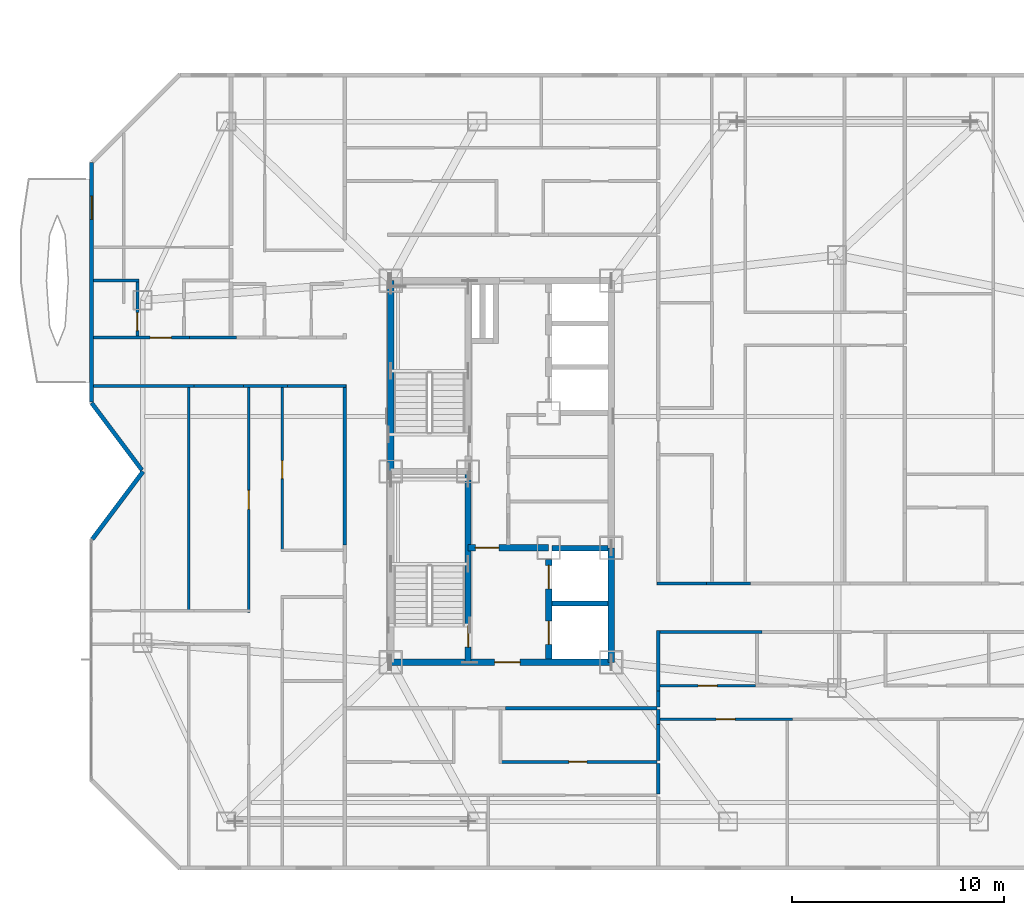
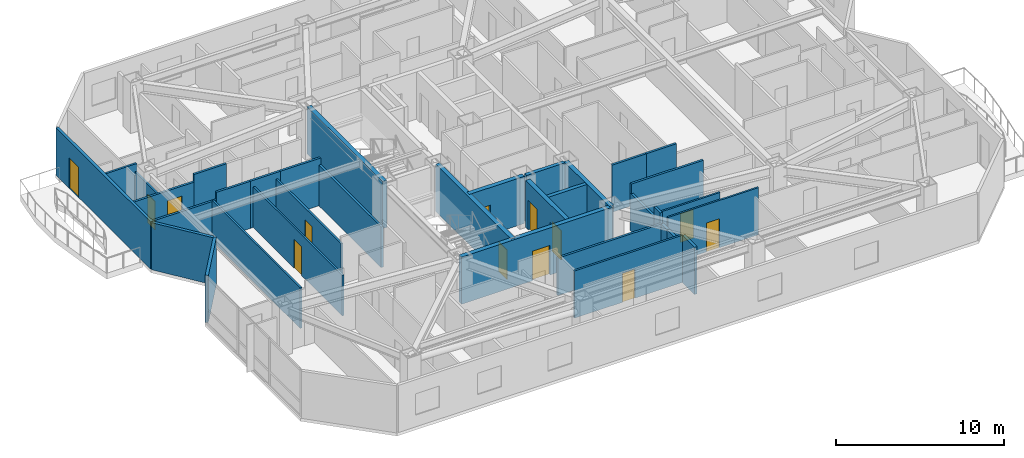
# One storey, part 10 of 16: 35 walls, 13 doors, 13 openings.
"""IFC4 building model written with IfcOpenShell, lengths in metres."""

from ifc_helpers import new_model, si_unit, direction, frame, frame_2d, origin, place, context, subcontext, project, spatial, rectangle, extrude, material, layer, layer_set, type_object, element, fill, save


model = new_model("IFC4")

# Units and contexts
model_context = context("Model", 3, precision=1e-05, world=origin(), true_north=direction((0.0, 1.0)))
body_context = subcontext(model_context, "Body", "Model", "MODEL_VIEW")
ifc_project = project(units=[si_unit("LENGTHUNIT", "METRE"), si_unit("AREAUNIT", "SQUARE_METRE"), si_unit("VOLUMEUNIT", "CUBIC_METRE"), si_unit("PLANEANGLEUNIT", "RADIAN"), si_unit("MASSUNIT", "GRAM", prefix="KILO")], contexts=[model_context])

# Site, building, storey
site_placement = place(None, origin())
site = spatial("IfcSite", under=ifc_project, at=site_placement, CompositionType="ELEMENT")
building_placement = place(site_placement, origin())
building = spatial("IfcBuilding", under=site, at=building_placement, Name="Khamvora Tower", CompositionType="ELEMENT")
storey_placement = place(building_placement, frame((0.0, 0.0, 170.5)))
storey = spatial("IfcBuildingStorey", under=building, at=storey_placement, Name="L43", CompositionType="ELEMENT", Elevation=170.5)

# Wall
ifc_material_1 = material(Name="Concrete C50/60", Category="concrete")
ifc_layer_1 = layer(ifc_material_1, 0.300048828125)
ifc_layer_set_1 = layer_set([ifc_layer_1], Name="Concrete C50/60")
wall_type_1 = type_object("IfcWallType", Name="WAL-CORE-300", PredefinedType="SHEAR", material=ifc_layer_set_1)
wall_1_placement = place(storey_placement, frame((29.0, 28.0, 0.0), z_axis=(0.0, 0.0, 1.0), x_axis=(0.0, 1.0, 0.0)))
element("IfcWall", 1, at=wall_1_placement, inside=storey, type_object=wall_type_1, Name="L43 central core west north wall", PredefinedType="SHEAR", context=body_context, shape_type="SweptSolid", body=[
    extrude(rectangle(XDim=9.0, YDim=0.300048828125, at=frame_2d((4.5, 0.0))), origin(), (0.0, 0.0, 1.0), 3.429931640625),
])

# Wall, opening, door
wall_2_placement = place(storey_placement, frame((29.0, 19.0, 0.0), z_axis=(0.0, 0.0, 1.0), x_axis=(1.0, 0.0, 0.0)))
wall_2 = element("IfcWall", 2, at=wall_2_placement, inside=storey, type_object=wall_type_1, Name="L43 central core south wall", PredefinedType="SHEAR", context=body_context, shape_type="SweptSolid", body=[
    extrude(rectangle(XDim=10.39990234375, YDim=0.300048828125, at=frame_2d((5.199951171875, 0.0))), origin(), (0.0, 0.0, 1.0), 3.429931640625),
])
opening_1_placement = place(wall_2_placement, frame((4.89990234375, 0.0, 0.0)))
opening_1 = element("IfcOpeningElement", 3, at=opening_1_placement, cuts=wall_2, Name="Opening D-CR1", PredefinedType="OPENING", context=body_context, shape_type="SweptSolid", body=[
    extrude(rectangle(XDim=1.199951171875, YDim=2.14990234375, at=frame_2d((0.60009765625, 1.074951171875))), frame((0.0, 0.159912109375, 0.0), z_axis=(0.0, -1.0, 0.0), x_axis=(1.0, 0.0, 0.0)), (0.0, 0.0, 1.0), 0.320068359375),
])
ifc_material_2 = material(Name="Powder-Coated Steel and Hardwood Leaf", Category="steel")
door_type_1 = type_object("IfcDoorType", Name="DOR-CORR-1200", OperationType="NOTDEFINED", PredefinedType="DOOR", material=ifc_material_2)
door_1_placement = place(opening_1_placement, origin())
door_1 = element("IfcDoor", 4, at=door_1_placement, inside=storey, type_object=door_type_1, Name="L43 south core lobby to corridor fire door", OperationType="SINGLE_SWING_LEFT", OverallHeight=2.14990234375, OverallWidth=1.199951171875, PredefinedType="DOOR", context=body_context, shape_type="SweptSolid", body=[
    extrude(rectangle(XDim=1.199951171875, YDim=2.14990234375, at=frame_2d((0.60009765625, 1.074951171875))), frame((0.0, 0.02490234375, 0.0), z_axis=(0.0, -1.0, 0.0), x_axis=(1.0, 0.0, 0.0)), (0.0, 0.0, 1.0), 0.050048828125),
])
fill(opening_1, door_1)

# Wall
wall_3_placement = place(storey_placement, frame((39.39990234375, 19.0, 0.0), z_axis=(0.0, 0.0, 1.0), x_axis=(0.0, 1.0, 0.0)))
element("IfcWall", 5, at=wall_3_placement, inside=storey, type_object=wall_type_1, Name="L43 central core east south wall", PredefinedType="SHEAR", context=body_context, shape_type="SweptSolid", body=[
    extrude(rectangle(XDim=5.39990234375, YDim=0.300048828125, at=frame_2d((2.699951171875, 0.0))), origin(), (0.0, 0.0, 1.0), 3.429931640625),
])

# Wall, opening, door
wall_4_placement = place(storey_placement, frame((32.64990234375, 19.0, 0.0), z_axis=(0.0, 0.0, 1.0), x_axis=(0.0, 1.0, 0.0)))
wall_4 = element("IfcWall", 6, at=wall_4_placement, inside=storey, type_object=wall_type_1, Name="L43 central core stair south spine wall", PredefinedType="SHEAR", context=body_context, shape_type="SweptSolid", body=[
    extrude(rectangle(XDim=9.0, YDim=0.300048828125, at=frame_2d((4.5, 0.0))), origin(), (0.0, 0.0, 1.0), 3.429931640625),
])
opening_2_placement = place(wall_4_placement, frame((0.719970703125, 0.0, 0.0)))
opening_2 = element("IfcOpeningElement", 7, at=opening_2_placement, cuts=wall_4, Name="Opening D-ST1", PredefinedType="OPENING", context=body_context, shape_type="SweptSolid", body=[
    extrude(rectangle(XDim=1.0, YDim=2.14990234375, at=frame_2d((0.5, 1.074951171875))), frame((0.0, 0.159912109375, 0.0), z_axis=(0.0, -1.0, 0.0), x_axis=(1.0, 0.0, 0.0)), (0.0, 0.0, 1.0), 0.320068359375),
])
door_type_2 = type_object("IfcDoorType", Name="DOR-STAIR-1000", OperationType="NOTDEFINED", PredefinedType="DOOR", material=ifc_material_2)
door_2_placement = place(opening_2_placement, origin())
door_2 = element("IfcDoor", 8, at=door_2_placement, inside=storey, type_object=door_type_2, Name="L43 exit stair ST-01 fire door", OperationType="SINGLE_SWING_RIGHT", OverallHeight=2.14990234375, OverallWidth=1.0, PredefinedType="DOOR", context=body_context, shape_type="SweptSolid", body=[
    extrude(rectangle(XDim=1.0, YDim=2.14990234375, at=frame_2d((0.5, 1.074951171875))), frame((0.0, 0.02490234375, 0.0), z_axis=(0.0, -1.0, 0.0), x_axis=(1.0, 0.0, 0.0)), (0.0, 0.0, 1.0), 0.050048828125),
])
fill(opening_2, door_2)

wall_5_placement = place(storey_placement, frame((32.64990234375, 24.39990234375, 0.0), z_axis=(0.0, 0.0, 1.0), x_axis=(1.0, 0.0, 0.0)))
wall_5 = element("IfcWall", 9, at=wall_5_placement, inside=storey, type_object=wall_type_1, Name="L43 central core firefighting lobby north wall", PredefinedType="SHEAR", context=body_context, shape_type="SweptSolid", body=[
    extrude(rectangle(XDim=3.800048828125, YDim=0.300048828125, at=frame_2d((1.89990234375, 0.0))), origin(), (0.0, 0.0, 1.0), 3.429931640625),
])
opening_3_placement = place(wall_5_placement, frame((0.35009765625, 0.0, 0.0)))
opening_3 = element("IfcOpeningElement", 10, at=opening_3_placement, cuts=wall_5, Name="Opening D-FF1", PredefinedType="OPENING", context=body_context, shape_type="SweptSolid", body=[
    extrude(rectangle(XDim=1.10009765625, YDim=2.14990234375, at=frame_2d((0.550048828125, 1.074951171875))), frame((0.0, 0.159912109375, 0.0), z_axis=(0.0, -1.0, 0.0), x_axis=(1.0, 0.0, 0.0)), (0.0, 0.0, 1.0), 0.320068359375),
])
door_type_3 = type_object("IfcDoorType", Name="DOR-FFLOB-1100", OperationType="NOTDEFINED", PredefinedType="DOOR", material=ifc_material_2)
door_3_placement = place(opening_3_placement, origin())
door_3 = element("IfcDoor", 11, at=door_3_placement, inside=storey, type_object=door_type_3, Name="L43 firefighting lobby smoke-seal fire door", OperationType="SINGLE_SWING_RIGHT", OverallHeight=2.14990234375, OverallWidth=1.10009765625, PredefinedType="DOOR", context=body_context, shape_type="SweptSolid", body=[
    extrude(rectangle(XDim=1.10009765625, YDim=2.14990234375, at=frame_2d((0.550048828125, 1.074951171875))), frame((0.0, 0.02490234375, 0.0), z_axis=(0.0, -1.0, 0.0), x_axis=(1.0, 0.0, 0.0)), (0.0, 0.0, 1.0), 0.050048828125),
])
fill(opening_3, door_3)

# Wall, openings, doors
wall_6_placement = place(storey_placement, frame((36.449951171875, 19.154052734375, 0.0), z_axis=(0.0, 0.0, 1.0), x_axis=(0.0, 1.0, 0.0)))
wall_6 = element("IfcWall", 12, at=wall_6_placement, inside=storey, type_object=wall_type_1, Name="L43 central core lift bank south wall", PredefinedType="SHEAR", context=body_context, shape_type="SweptSolid", body=[
    extrude(rectangle(XDim=4.696044921875, YDim=0.300048828125, at=frame_2d((2.34814453125, 0.0))), origin(), (0.0, 0.0, 1.0), 3.429931640625),
])
opening_4_placement = place(wall_6_placement, frame((0.696044921875, 0.0, 0.0)))
opening_4 = element("IfcOpeningElement", 13, at=opening_4_placement, cuts=wall_6, Name="Opening LD-FFL", PredefinedType="OPENING", context=body_context, shape_type="SweptSolid", body=[
    extrude(rectangle(XDim=1.10009765625, YDim=2.14990234375, at=frame_2d((0.550048828125, 1.074951171875))), frame((0.0, 0.159912109375, 0.0), z_axis=(0.0, -1.0, 0.0), x_axis=(1.0, 0.0, 0.0)), (0.0, 0.0, 1.0), 0.320068359375),
])
opening_5_placement = place(wall_6_placement, frame((3.31591796875, 0.0, 0.0)))
opening_5 = element("IfcOpeningElement", 14, at=opening_5_placement, cuts=wall_6, Name="Opening LD-FFL", PredefinedType="OPENING", context=body_context, shape_type="SweptSolid", body=[
    extrude(rectangle(XDim=1.10009765625, YDim=2.14990234375, at=frame_2d((0.550048828125, 1.074951171875))), frame((0.0, 0.159912109375, 0.0), z_axis=(0.0, -1.0, 0.0), x_axis=(1.0, 0.0, 0.0)), (0.0, 0.0, 1.0), 0.320068359375),
])
door_type_4 = type_object("IfcDoorType", Name="DOR-LIFT-1100", OperationType="SLIDING_TO_LEFT", PredefinedType="DOOR", material=ifc_material_2)
door_4_placement = place(opening_4_placement, origin())
door_4 = element("IfcDoor", 15, at=door_4_placement, inside=storey, type_object=door_type_4, Name="L43 lift landing sliding door FFL-01", OperationType="SLIDING_TO_LEFT", OverallHeight=2.14990234375, OverallWidth=1.10009765625, PredefinedType="DOOR", context=body_context, shape_type="SweptSolid", body=[
    extrude(rectangle(XDim=1.10009765625, YDim=2.14990234375, at=frame_2d((0.550048828125, 1.074951171875))), frame((0.0, 0.02490234375, 0.0), z_axis=(0.0, -1.0, 0.0), x_axis=(1.0, 0.0, 0.0)), (0.0, 0.0, 1.0), 0.050048828125),
])
fill(opening_4, door_4)
door_5_placement = place(opening_5_placement, origin())
door_5 = element("IfcDoor", 16, at=door_5_placement, inside=storey, type_object=door_type_4, Name="L43 lift landing sliding door FFL-02", OperationType="SLIDING_TO_LEFT", OverallHeight=2.14990234375, OverallWidth=1.10009765625, PredefinedType="DOOR", context=body_context, shape_type="SweptSolid", body=[
    extrude(rectangle(XDim=1.10009765625, YDim=2.14990234375, at=frame_2d((0.550048828125, 1.074951171875))), frame((0.0, 0.02490234375, 0.0), z_axis=(0.0, -1.0, 0.0), x_axis=(1.0, 0.0, 0.0)), (0.0, 0.0, 1.0), 0.050048828125),
])
fill(opening_5, door_5)

# Walls
ifc_material_3 = material(Name="Fire-Rated Drywall and Steel Stud", Category="steel")
ifc_layer_2 = layer(ifc_material_3, 0.14990234375)
ifc_layer_set_2 = layer_set([ifc_layer_2], Name="Fire-Rated Drywall and Steel Stud")
wall_type_2 = type_object("IfcWallType", Name="WAL-CORR-150", PredefinedType="STANDARD", material=ifc_layer_set_2)
wall_7_placement = place(storey_placement, frame((24.138916015625, 32.034912109375, 0.0), z_axis=(0.0, 0.0, 1.0), x_axis=(-1.0, 0.0, 0.0)))
element("IfcWall", 17, at=wall_7_placement, inside=storey, type_object=wall_type_2, Name="L43 interior partition wall 009", PredefinedType="STANDARD", context=body_context, shape_type="SweptSolid", body=[
    extrude(rectangle(XDim=2.077880859375, YDim=0.14990234375, at=frame_2d((1.0390625, 0.0))), origin(), (0.0, 0.0, 1.0), 3.429931640625),
])
wall_8_placement = place(storey_placement, frame((26.8349609375, 24.532958984375, 0.0), z_axis=(0.0, 0.0, 1.0), x_axis=(0.0, 1.0, 0.0)))
element("IfcWall", 18, at=wall_8_placement, inside=storey, type_object=wall_type_2, Name="L43 interior partition wall 011", PredefinedType="STANDARD", context=body_context, shape_type="SweptSolid", body=[
    extrude(rectangle(XDim=7.567138671875, YDim=0.14990234375, at=frame_2d((3.78369140625, 0.0))), origin(), (0.0, 0.0, 1.0), 2.95703125),
])
wall_9_placement = place(storey_placement, frame((26.89794921875, 32.034912109375, 0.0), z_axis=(0.0, 0.0, 1.0), x_axis=(-1.0, 0.0, 0.0)))
element("IfcWall", 19, at=wall_9_placement, inside=storey, type_object=wall_type_2, Name="L43 interior partition wall 012", PredefinedType="STANDARD", context=body_context, shape_type="SweptSolid", body=[
    extrude(rectangle(XDim=2.759033203125, YDim=0.14990234375, at=frame_2d((1.37939453125, 0.0))), origin(), (0.0, 0.0, 1.0), 3.429931640625),
])
wall_10_placement = place(storey_placement, frame((19.737060546875, 32.034912109375, 0.0), z_axis=(0.0, 0.0, 1.0), x_axis=(-1.0, 0.0, 0.0)))
element("IfcWall", 20, at=wall_10_placement, inside=storey, type_object=wall_type_2, Name="L43 interior partition wall 013", PredefinedType="STANDARD", context=body_context, shape_type="SweptSolid", body=[
    extrude(rectangle(XDim=4.7451171875, YDim=0.14990234375, at=frame_2d((2.37255859375, 0.0))), origin(), (0.0, 0.0, 1.0), 2.8759765625),
])
wall_11_placement = place(storey_placement, frame((22.06103515625, 32.034912109375, 0.0), z_axis=(0.0, 0.0, 1.0), x_axis=(-1.0, 0.0, 0.0)))
element("IfcWall", 21, at=wall_11_placement, inside=storey, type_object=wall_type_2, Name="L43 interior partition wall 014", PredefinedType="STANDARD", context=body_context, shape_type="SweptSolid", body=[
    extrude(rectangle(XDim=2.323974609375, YDim=0.14990234375, at=frame_2d((1.162109375, 0.0))), origin(), (0.0, 0.0, 1.0), 3.429931640625),
])

# Wall, opening, door
wall_12_placement = place(storey_placement, frame((14.991943359375, 34.31494140625, 0.0), z_axis=(0.0, 0.0, 1.0), x_axis=(1.0, 0.0, 0.0)))
wall_12 = element("IfcWall", 22, at=wall_12_placement, inside=storey, type_object=wall_type_2, Name="L43 interior partition wall 015", PredefinedType="STANDARD", context=body_context, shape_type="SweptSolid", body=[
    extrude(rectangle(XDim=4.51708984375, YDim=0.14990234375, at=frame_2d((2.258544921875, 0.0))), origin(), (0.0, 0.0, 1.0), 2.8759765625),
])
opening_6_placement = place(wall_12_placement, frame((2.66796875, 0.0, 0.0)))
opening_6 = element("IfcOpeningElement", 23, at=opening_6_placement, cuts=wall_12, Name="Opening D-U1", PredefinedType="OPENING", context=body_context, shape_type="SweptSolid", body=[
    extrude(rectangle(XDim=1.0, YDim=2.14990234375, at=frame_2d((0.5, 1.074951171875))), frame((0.0, 0.0849609375, 0.0), z_axis=(0.0, -1.0, 0.0), x_axis=(1.0, 0.0, 0.0)), (0.0, 0.0, 1.0), 0.169921875),
])
door_type_5 = type_object("IfcDoorType", Name="DOR-UNIT-1000", OperationType="NOTDEFINED", PredefinedType="DOOR", material=ifc_material_2)
door_6_placement = place(opening_6_placement, origin())
door_6 = element("IfcDoor", 24, at=door_6_placement, inside=storey, type_object=door_type_5, Name="L43 interior door COR-43WBH", OperationType="SINGLE_SWING_LEFT", OverallHeight=2.14990234375, OverallWidth=1.0, PredefinedType="DOOR", context=body_context, shape_type="SweptSolid", body=[
    extrude(rectangle(XDim=1.0, YDim=2.14990234375, at=frame_2d((0.5, 1.074951171875))), frame((0.0, 0.02490234375, 0.0), z_axis=(0.0, -1.0, 0.0), x_axis=(1.0, 0.0, 0.0)), (0.0, 0.0, 1.0), 0.050048828125),
])
fill(opening_6, door_6)

# Walls
wall_13_placement = place(storey_placement, frame((19.509033203125, 34.31494140625, 0.0), z_axis=(0.0, 0.0, 1.0), x_axis=(1.0, 0.0, 0.0)))
element("IfcWall", 25, at=wall_13_placement, inside=storey, type_object=wall_type_2, Name="L43 interior partition wall 016", PredefinedType="STANDARD", context=body_context, shape_type="SweptSolid", body=[
    extrude(rectangle(XDim=2.215087890625, YDim=0.14990234375, at=frame_2d((1.107421875, 0.0))), origin(), (0.0, 0.0, 1.0), 3.429931640625),
])
wall_14_placement = place(storey_placement, frame((41.550048828125, 16.8349609375, 0.0), z_axis=(0.0, 0.0, 1.0), x_axis=(-1.0, 0.0, 0.0)))
element("IfcWall", 26, at=wall_14_placement, inside=storey, type_object=wall_type_2, Name="L43 interior partition wall 023", PredefinedType="STANDARD", context=body_context, shape_type="SweptSolid", body=[
    extrude(rectangle(XDim=7.1259765625, YDim=0.14990234375, at=frame_2d((3.56298828125, 0.0))), origin(), (0.0, 0.0, 1.0), 2.72509765625),
])
wall_15_placement = place(storey_placement, frame((46.51904296875, 20.43505859375, 0.0), z_axis=(0.0, 0.0, 1.0), x_axis=(-1.0, 0.0, 0.0)))
element("IfcWall", 27, at=wall_15_placement, inside=storey, type_object=wall_type_2, Name="L43 interior partition wall 027", PredefinedType="STANDARD", context=body_context, shape_type="SweptSolid", body=[
    extrude(rectangle(XDim=4.968994140625, YDim=0.14990234375, at=frame_2d((2.484375, 0.0))), origin(), (0.0, 0.0, 1.0), 3.429931640625),
])
wall_16_placement = place(storey_placement, frame((41.614990234375, 20.5, 0.0), z_axis=(0.0, 0.0, 1.0), x_axis=(0.0, -1.0, 0.0)))
element("IfcWall", 28, at=wall_16_placement, inside=storey, type_object=wall_type_2, Name="L43 interior partition wall 028", PredefinedType="STANDARD", context=body_context, shape_type="SweptSolid", body=[
    extrude(rectangle(XDim=2.843994140625, YDim=0.14990234375, at=frame_2d((1.421875, 0.0))), origin(), (0.0, 0.0, 1.0), 2.72509765625),
])
wall_17_placement = place(storey_placement, frame((41.614990234375, 17.656005859375, 0.0), z_axis=(0.0, 0.0, 1.0), x_axis=(0.0, -1.0, 0.0)))
element("IfcWall", 29, at=wall_17_placement, inside=storey, type_object=wall_type_2, Name="L43 interior partition wall 031", PredefinedType="STANDARD", context=body_context, shape_type="SweptSolid", body=[
    extrude(rectangle(XDim=0.756103515625, YDim=0.14990234375, at=frame_2d((0.3779296875, 0.0))), origin(), (0.0, 0.0, 1.0), 3.429931640625),
])
wall_18_placement = place(storey_placement, frame((43.89599609375, 22.715087890625, 0.0), z_axis=(0.0, 0.0, 1.0), x_axis=(1.0, 0.0, 0.0)))
element("IfcWall", 30, at=wall_18_placement, inside=storey, type_object=wall_type_2, Name="L43 interior partition wall 036", PredefinedType="STANDARD", context=body_context, shape_type="SweptSolid", body=[
    extrude(rectangle(XDim=2.078125, YDim=0.14990234375, at=frame_2d((1.0390625, 0.0))), origin(), (0.0, 0.0, 1.0), 3.429931640625),
])
wall_19_placement = place(storey_placement, frame((41.550048828125, 22.715087890625, 0.0), z_axis=(0.0, 0.0, 1.0), x_axis=(1.0, 0.0, 0.0)))
element("IfcWall", 31, at=wall_19_placement, inside=storey, type_object=wall_type_2, Name="L43 interior partition wall 039", PredefinedType="STANDARD", context=body_context, shape_type="SweptSolid", body=[
    extrude(rectangle(XDim=2.345947265625, YDim=0.14990234375, at=frame_2d((1.1728515625, 0.0))), origin(), (0.0, 0.0, 1.0), 3.429931640625),
])
ifc_material_4 = material(Name="Acoustic Double-Stud Fire Wall", Category="gypsum")
ifc_layer_3 = layer(ifc_material_4, 0.179931640625)
ifc_layer_set_3 = layer_set([ifc_layer_3], Name="Acoustic Double-Stud Fire Wall")
wall_type_3 = type_object("IfcWallType", Name="WAL-CORR-180", PredefinedType="STANDARD", material=ifc_layer_set_3)
wall_20_placement = place(storey_placement, frame((41.614990234375, 14.239990234375, 0.0), z_axis=(0.0, 0.0, 1.0), x_axis=(0.0, -1.0, 0.0)))
element("IfcWall", 32, at=wall_20_placement, inside=storey, type_object=wall_type_3, Name="L43 interior partition wall 087", PredefinedType="STANDARD", context=body_context, shape_type="SweptSolid", body=[
    extrude(rectangle(XDim=1.449951171875, YDim=0.179931640625, at=frame_2d((0.72509765625, 0.0))), origin(), (0.0, 0.0, 1.0), 3.429931640625),
])
wall_21_placement = place(storey_placement, frame((41.614990234375, 16.77001953125, 0.0), z_axis=(0.0, 0.0, 1.0), x_axis=(0.0, -1.0, 0.0)))
element("IfcWall", 33, at=wall_21_placement, inside=storey, type_object=wall_type_3, Name="L43 interior partition wall 088", PredefinedType="STANDARD", context=body_context, shape_type="SweptSolid", body=[
    extrude(rectangle(XDim=0.694091796875, YDim=0.179931640625, at=frame_2d((0.34716796875, 0.0))), origin(), (0.0, 0.0, 1.0), 2.72509765625),
])
wall_22_placement = place(storey_placement, frame((41.614990234375, 16.075927734375, 0.0), z_axis=(0.0, 0.0, 1.0), x_axis=(0.0, -1.0, 0.0)))
element("IfcWall", 34, at=wall_22_placement, inside=storey, type_object=wall_type_3, Name="L43 interior partition wall 089", PredefinedType="STANDARD", context=body_context, shape_type="SweptSolid", body=[
    extrude(rectangle(XDim=1.705810546875, YDim=0.179931640625, at=frame_2d((0.85302734375, 0.0))), origin(), (0.0, 0.0, 1.0), 2.72509765625),
])
ifc_material_5 = material(Name="Precast concrete C40/50", Category="concrete")
ifc_layer_4 = layer(ifc_material_5, 0.199951171875)
ifc_layer_set_4 = layer_set([ifc_layer_4], Name="Precast concrete C40/50")
wall_type_4 = type_object("IfcWallType", Name="WAL-EXT-200", PredefinedType="STANDARD", material=ifc_layer_set_4)
wall_23_placement = place(storey_placement, frame((14.929931640625, 24.806884765625, 0.0), z_axis=(0.0, 0.0, 1.0), x_axis=(0.600029358831, 0.799977980035, 0.0)))
element("IfcWall", 35, at=wall_23_placement, inside=storey, type_object=wall_type_4, Name="L43 exterior facade wall 03.1", PredefinedType="STANDARD", context=body_context, shape_type="SweptSolid", body=[
    extrude(rectangle(XDim=3.991455078125, YDim=0.199951171875, at=frame_2d((1.99560546875, 0.0))), origin(), (0.0, 0.0, 1.0), 3.429931640625),
])
wall_24_placement = place(storey_placement, frame((17.27294921875, 28.069091796875, 0.0), z_axis=(0.0, 0.0, 1.0), x_axis=(-0.600029630681, 0.799977776132, 0.0)))
element("IfcWall", 36, at=wall_24_placement, inside=storey, type_object=wall_type_4, Name="L43 exterior facade wall 04.1", PredefinedType="STANDARD", context=body_context, shape_type="SweptSolid", body=[
    extrude(rectangle(XDim=3.954833984375, YDim=0.199951171875, at=frame_2d((1.9775390625, 0.0))), origin(), (0.0, 0.0, 1.0), 3.429931640625),
])

# Wall, opening, door
wall_25_placement = place(storey_placement, frame((14.89990234375, 31.283935546875, 0.0), z_axis=(0.0, 0.0, 1.0), x_axis=(0.0, 1.0, 0.0)))
wall_25 = element("IfcWall", 37, at=wall_25_placement, inside=storey, type_object=wall_type_4, Name="L43 exterior facade wall 05.1", PredefinedType="STANDARD", context=body_context, shape_type="SweptSolid", body=[
    extrude(rectangle(XDim=11.275146484375, YDim=0.199951171875, at=frame_2d((5.6376953125, 0.0))), origin(), (0.0, 0.0, 1.0), 3.429931640625),
])
opening_7_placement = place(wall_25_placement, frame((8.59912109375, 0.0, 0.0)))
opening_7 = element("IfcOpeningElement", 38, at=opening_7_placement, cuts=wall_25, Name="Opening BD-01", PredefinedType="OPENING", context=body_context, shape_type="SweptSolid", body=[
    extrude(rectangle(XDim=1.10009765625, YDim=2.199951171875, at=frame_2d((0.550048828125, 1.10009765625))), frame((0.0, 0.10986328125, 0.0), z_axis=(0.0, -1.0, 0.0), x_axis=(1.0, 0.0, 0.0)), (0.0, 0.0, 1.0), 0.219970703125),
])
ifc_material_6 = material(Name="Anodised Aluminium and Laminated Safety Glass", Category="aluminium")
door_type_6 = type_object("IfcDoorType", Name="DOR-BAL-1100", OperationType="NOTDEFINED", PredefinedType="DOOR", material=ifc_material_6)
door_7_placement = place(opening_7_placement, origin())
door_7 = element("IfcDoor", 39, at=door_7_placement, inside=storey, type_object=door_type_6, Name="L43 lens gallery balcony door WL2", OperationType="SLIDING_TO_LEFT", OverallHeight=2.199951171875, OverallWidth=1.10009765625, PredefinedType="DOOR", context=body_context, shape_type="SweptSolid", body=[
    extrude(rectangle(XDim=1.10009765625, YDim=2.199951171875, at=frame_2d((0.550048828125, 1.10009765625))), frame((0.0, 0.02490234375, 0.0), z_axis=(0.0, -1.0, 0.0), x_axis=(1.0, 0.0, 0.0)), (0.0, 0.0, 1.0), 0.050048828125),
])
fill(opening_7, door_7)

ifc_material_7 = material(Name="Gypsum Plasterboard Partition", Category="gypsum")
ifc_layer_5 = layer(ifc_material_7, 0.1201171875)
ifc_layer_set_5 = layer_set([ifc_layer_5], Name="Gypsum Plasterboard Partition")
wall_type_5 = type_object("IfcWallType", Name="WAL-PART-120", PredefinedType="PARTITIONING", material=ifc_layer_set_5)
wall_26_placement = place(storey_placement, frame((22.31005859375, 21.360107421875, 0.0), z_axis=(0.0, 0.0, 1.0), x_axis=(0.0, 1.0, 0.0)))
wall_26 = element("IfcWall", 40, at=wall_26_placement, inside=storey, type_object=wall_type_5, Name="L43 interior partition wall 059", PredefinedType="PARTITIONING", context=body_context, shape_type="SweptSolid", body=[
    extrude(rectangle(XDim=10.60791015625, YDim=0.1201171875, at=frame_2d((5.303955078125, 0.0))), origin(), (0.0, 0.0, 1.0), 2.95703125),
])
opening_8_placement = place(wall_26_placement, frame((4.85400390625, 0.0, 0.0)))
opening_8 = element("IfcOpeningElement", 41, at=opening_8_placement, cuts=wall_26, Name="Opening D-RM1", PredefinedType="OPENING", context=body_context, shape_type="SweptSolid", body=[
    extrude(rectangle(XDim=0.89990234375, YDim=2.10009765625, at=frame_2d((0.449951171875, 1.050048828125))), frame((0.0, 0.070068359375, 0.0), z_axis=(0.0, -1.0, 0.0), x_axis=(1.0, 0.0, 0.0)), (0.0, 0.0, 1.0), 0.14013671875),
])
door_type_7 = type_object("IfcDoorType", Name="DOR-ROOM-900", OperationType="NOTDEFINED", PredefinedType="DOOR", material=ifc_material_2)
door_8_placement = place(opening_8_placement, origin())
door_8 = element("IfcDoor", 42, at=door_8_placement, inside=storey, type_object=door_type_7, Name="L43 interior door 43WAH-43WAR4", OperationType="SINGLE_SWING_RIGHT", OverallHeight=2.10009765625, OverallWidth=0.89990234375, PredefinedType="DOOR", context=body_context, shape_type="SweptSolid", body=[
    extrude(rectangle(XDim=0.89990234375, YDim=2.10009765625, at=frame_2d((0.449951171875, 1.050048828125))), frame((0.0, 0.02490234375, 0.0), z_axis=(0.0, -1.0, 0.0), x_axis=(1.0, 0.0, 0.0)), (0.0, 0.0, 1.0), 0.050048828125),
])
fill(opening_8, door_8)

# Wall
wall_27_placement = place(storey_placement, frame((19.488037109375, 31.968017578125, 0.0), z_axis=(0.0, 0.0, 1.0), x_axis=(0.0, -1.0, 0.0)))
element("IfcWall", 43, at=wall_27_placement, inside=storey, type_object=wall_type_5, Name="L43 interior partition wall 061", PredefinedType="PARTITIONING", context=body_context, shape_type="SweptSolid", body=[
    extrude(rectangle(XDim=10.489013671875, YDim=0.1201171875, at=frame_2d((5.24462890625, 0.0))), origin(), (0.0, 0.0, 1.0), 2.95703125),
])

# Wall, opening, door
wall_28_placement = place(storey_placement, frame((46.205078125, 17.905029296875, 0.0), z_axis=(0.0, 0.0, 1.0), x_axis=(-1.0, 0.0, 0.0)))
wall_28 = element("IfcWall", 44, at=wall_28_placement, inside=storey, type_object=wall_type_5, Name="L43 interior partition wall 102", PredefinedType="PARTITIONING", context=body_context, shape_type="SweptSolid", body=[
    extrude(rectangle(XDim=4.523193359375, YDim=0.1201171875, at=frame_2d((2.26171875, 0.0))), origin(), (0.0, 0.0, 1.0), 2.72509765625),
])
opening_9_placement = place(wall_28_placement, frame((1.81103515625, 0.0, 0.0)))
opening_9 = element("IfcOpeningElement", 45, at=opening_9_placement, cuts=wall_28, Name="Opening D-RM1", PredefinedType="OPENING", context=body_context, shape_type="SweptSolid", body=[
    extrude(rectangle(XDim=0.89990234375, YDim=2.10009765625, at=frame_2d((0.449951171875, 1.050048828125))), frame((0.0, 0.070068359375, 0.0), z_axis=(0.0, -1.0, 0.0), x_axis=(1.0, 0.0, 0.0)), (0.0, 0.0, 1.0), 0.14013671875),
])
door_9_placement = place(opening_9_placement, origin())
door_9 = element("IfcDoor", 46, at=door_9_placement, inside=storey, type_object=door_type_7, Name="L43 interior door 43EAW1-43EAH", OperationType="SINGLE_SWING_RIGHT", OverallHeight=2.10009765625, OverallWidth=0.89990234375, PredefinedType="DOOR", context=body_context, shape_type="SweptSolid", body=[
    extrude(rectangle(XDim=0.89990234375, YDim=2.10009765625, at=frame_2d((0.449951171875, 1.050048828125))), frame((0.0, 0.02490234375, 0.0), z_axis=(0.0, -1.0, 0.0), x_axis=(1.0, 0.0, 0.0)), (0.0, 0.0, 1.0), 0.050048828125),
])
fill(opening_9, door_9)

wall_29_placement = place(storey_placement, frame((47.94189453125, 16.324951171875, 0.0), z_axis=(0.0, 0.0, 1.0), x_axis=(-1.0, 0.0, 0.0)))
wall_29 = element("IfcWall", 47, at=wall_29_placement, inside=storey, type_object=wall_type_5, Name="L43 interior partition wall 110", PredefinedType="PARTITIONING", context=body_context, shape_type="SweptSolid", body=[
    extrude(rectangle(XDim=6.244873046875, YDim=0.1201171875, at=frame_2d((3.12255859375, 0.0))), origin(), (0.0, 0.0, 1.0), 3.429931640625),
])
opening_10_placement = place(wall_29_placement, frame((2.694091796875, 0.0, 0.0)))
opening_10 = element("IfcOpeningElement", 48, at=opening_10_placement, cuts=wall_29, Name="Opening D-RM1", PredefinedType="OPENING", context=body_context, shape_type="SweptSolid", body=[
    extrude(rectangle(XDim=0.89990234375, YDim=2.10009765625, at=frame_2d((0.449951171875, 1.050048828125))), frame((0.0, 0.070068359375, 0.0), z_axis=(0.0, -1.0, 0.0), x_axis=(1.0, 0.0, 0.0)), (0.0, 0.0, 1.0), 0.14013671875),
])
door_10_placement = place(opening_10_placement, origin())
door_10 = element("IfcDoor", 49, at=door_10_placement, inside=storey, type_object=door_type_7, Name="L43 interior door 43EAH-43EAR1", OperationType="SINGLE_SWING_RIGHT", OverallHeight=2.10009765625, OverallWidth=0.89990234375, PredefinedType="DOOR", context=body_context, shape_type="SweptSolid", body=[
    extrude(rectangle(XDim=0.89990234375, YDim=2.10009765625, at=frame_2d((0.449951171875, 1.050048828125))), frame((0.0, 0.02490234375, 0.0), z_axis=(0.0, -1.0, 0.0), x_axis=(1.0, 0.0, 0.0)), (0.0, 0.0, 1.0), 0.050048828125),
])
fill(opening_10, door_10)

# Walls
ifc_material_8 = material(Name="Concrete C40/50", Category="concrete")
ifc_layer_6 = layer(ifc_material_8, 0.25)
ifc_layer_set_6 = layer_set([ifc_layer_6], Name="Concrete C40/50")
wall_type_6 = type_object("IfcWallType", Name="WAL-PODS-250", PredefinedType="SHEAR", material=ifc_layer_set_6)
for number, where, z_axis, x_axis, name in (
    (50, (36.60400390625, 21.77490234375, 0.0), (0.0, 0.0, 1.0), (1.0, 0.0, 0.0), "L43 lift shaft divider wall FFL-01"),
    (51, (36.60400390625, 24.375, 0.0), (0.0, 0.0, 1.0), (1.0, 0.0, 0.0), "L43 lift shaft divider wall FFL-02"),
):
    element("IfcWall", number, at=place(storey_placement, frame(where, z_axis=z_axis, x_axis=x_axis)), inside=storey, type_object=wall_type_6, Name=name, PredefinedType="SHEAR", context=body_context, shape_type="SweptSolid", body=[
        extrude(rectangle(XDim=2.64208984375, YDim=0.25, at=frame_2d((1.321044921875, 0.0))), origin(), (0.0, 0.0, 1.0), 3.429931640625),
    ])

# Wall, opening, door
ifc_material_9 = material(Name="Moisture-Resistant Plasterboard Partition", Category="gypsum")
ifc_layer_7 = layer(ifc_material_9, 0.135009765625)
ifc_layer_set_7 = layer_set([ifc_layer_7], Name="Moisture-Resistant Plasterboard Partition")
wall_type_7 = type_object("IfcWallType", Name="WAL-WET-135", PredefinedType="PARTITIONING", material=ifc_layer_set_7)
wall_30_placement = place(storey_placement, frame((23.889892578125, 31.968017578125, 0.0), z_axis=(0.0, 0.0, 1.0), x_axis=(0.0, -1.0, 0.0)))
wall_30 = element("IfcWall", 52, at=wall_30_placement, inside=storey, type_object=wall_type_7, Name="L43 interior partition wall 052", PredefinedType="PARTITIONING", context=body_context, shape_type="SweptSolid", body=[
    extrude(rectangle(XDim=7.7490234375, YDim=0.135009765625, at=frame_2d((3.87451171875, 0.0))), origin(), (0.0, 0.0, 1.0), 2.95703125),
])
opening_11_placement = place(wall_30_placement, frame((3.449951171875, 0.0, 0.0)))
opening_11 = element("IfcOpeningElement", 53, at=opening_11_placement, cuts=wall_30, Name="Opening D-RM2", PredefinedType="OPENING", context=body_context, shape_type="SweptSolid", body=[
    extrude(rectangle(XDim=0.85009765625, YDim=2.10009765625, at=frame_2d((0.425048828125, 1.050048828125))), frame((0.0, 0.077392578125, 0.0), z_axis=(0.0, -1.0, 0.0), x_axis=(1.0, 0.0, 0.0)), (0.0, 0.0, 1.0), 0.155029296875),
])
door_type_8 = type_object("IfcDoorType", Name="DOR-ROOM-850", OperationType="NOTDEFINED", PredefinedType="DOOR", material=ifc_material_2)
door_11_placement = place(opening_11_placement, origin())
door_11 = element("IfcDoor", 54, at=door_11_placement, inside=storey, type_object=door_type_8, Name="L43 interior door 43WAH-43WAK", OperationType="SINGLE_SWING_RIGHT", OverallHeight=2.10009765625, OverallWidth=0.85009765625, PredefinedType="DOOR", context=body_context, shape_type="SweptSolid", body=[
    extrude(rectangle(XDim=0.85009765625, YDim=2.10009765625, at=frame_2d((0.425048828125, 1.050048828125))), frame((0.0, 0.02490234375, 0.0), z_axis=(0.0, -1.0, 0.0), x_axis=(1.0, 0.0, 0.0)), (0.0, 0.0, 1.0), 0.050048828125),
])
fill(opening_11, door_11)

wall_31_placement = place(storey_placement, frame((17.06005859375, 34.3798828125, 0.0), z_axis=(0.0, 0.0, 1.0), x_axis=(0.0, 1.0, 0.0)))
wall_31 = element("IfcWall", 55, at=wall_31_placement, inside=storey, type_object=wall_type_7, Name="L43 interior partition wall 062", PredefinedType="PARTITIONING", context=body_context, shape_type="SweptSolid", body=[
    extrude(rectangle(XDim=2.68603515625, YDim=0.135009765625, at=frame_2d((1.343017578125, 0.0))), origin(), (0.0, 0.0, 1.0), 2.8759765625),
])
opening_12_placement = place(wall_31_placement, frame((0.260009765625, 0.0, 0.0)))
opening_12 = element("IfcOpeningElement", 56, at=opening_12_placement, cuts=wall_31, Name="Opening D-WC1", PredefinedType="OPENING", context=body_context, shape_type="SweptSolid", body=[
    extrude(rectangle(XDim=0.85009765625, YDim=2.10009765625, at=frame_2d((0.425048828125, 1.050048828125))), frame((0.0, 0.077392578125, 0.0), z_axis=(0.0, -1.0, 0.0), x_axis=(1.0, 0.0, 0.0)), (0.0, 0.0, 1.0), 0.155029296875),
])
door_type_9 = type_object("IfcDoorType", Name="DOR-WET-850", OperationType="NOTDEFINED", PredefinedType="DOOR", material=ifc_material_2)
door_12_placement = place(opening_12_placement, origin())
door_12 = element("IfcDoor", 57, at=door_12_placement, inside=storey, type_object=door_type_9, Name="L43 interior door 43WBH-43WBB", OperationType="SINGLE_SWING_LEFT", OverallHeight=2.10009765625, OverallWidth=0.85009765625, PredefinedType="DOOR", context=body_context, shape_type="SweptSolid", body=[
    extrude(rectangle(XDim=0.85009765625, YDim=2.10009765625, at=frame_2d((0.425048828125, 1.050048828125))), frame((0.0, 0.02490234375, 0.0), z_axis=(0.0, -1.0, 0.0), x_axis=(1.0, 0.0, 0.0)), (0.0, 0.0, 1.0), 0.050048828125),
])
fill(opening_12, door_12)

# Wall
wall_32_placement = place(storey_placement, frame((17.125, 37.0009765625, 0.0), z_axis=(0.0, 0.0, 1.0), x_axis=(-1.0, 0.0, 0.0)))
element("IfcWall", 58, at=wall_32_placement, inside=storey, type_object=wall_type_7, Name="L43 interior partition wall 063", PredefinedType="PARTITIONING", context=body_context, shape_type="SweptSolid", body=[
    extrude(rectangle(XDim=2.133056640625, YDim=0.135009765625, at=frame_2d((1.06640625, 0.0))), origin(), (0.0, 0.0, 1.0), 3.429931640625),
])

# Wall, opening, door
wall_33_placement = place(storey_placement, frame((34.110107421875, 14.304931640625, 0.0), z_axis=(0.0, 0.0, 1.0), x_axis=(1.0, 0.0, 0.0)))
wall_33 = element("IfcWall", 59, at=wall_33_placement, inside=storey, type_object=wall_type_7, Name="L43 interior partition wall 084", PredefinedType="PARTITIONING", context=body_context, shape_type="SweptSolid", body=[
    extrude(rectangle(XDim=7.43994140625, YDim=0.135009765625, at=frame_2d((3.719970703125, 0.0))), origin(), (0.0, 0.0, 1.0), 3.429931640625),
])
opening_13_placement = place(wall_33_placement, frame((3.294921875, 0.0, 0.0)))
opening_13 = element("IfcOpeningElement", 60, at=opening_13_placement, cuts=wall_33, Name="Opening D-RM2", PredefinedType="OPENING", context=body_context, shape_type="SweptSolid", body=[
    extrude(rectangle(XDim=0.85009765625, YDim=2.10009765625, at=frame_2d((0.425048828125, 1.050048828125))), frame((0.0, 0.077392578125, 0.0), z_axis=(0.0, -1.0, 0.0), x_axis=(1.0, 0.0, 0.0)), (0.0, 0.0, 1.0), 0.155029296875),
])
door_13_placement = place(opening_13_placement, origin())
door_13 = element("IfcDoor", 61, at=door_13_placement, inside=storey, type_object=door_type_8, Name="L43 interior door 43SAH-43SAK", OperationType="SINGLE_SWING_LEFT", OverallHeight=2.10009765625, OverallWidth=0.85009765625, PredefinedType="DOOR", context=body_context, shape_type="SweptSolid", body=[
    extrude(rectangle(XDim=0.85009765625, YDim=2.10009765625, at=frame_2d((0.425048828125, 1.050048828125))), frame((0.0, 0.02490234375, 0.0), z_axis=(0.0, -1.0, 0.0), x_axis=(1.0, 0.0, 0.0)), (0.0, 0.0, 1.0), 0.050048828125),
])
fill(opening_13, door_13)

save(model, "model.ifc")
